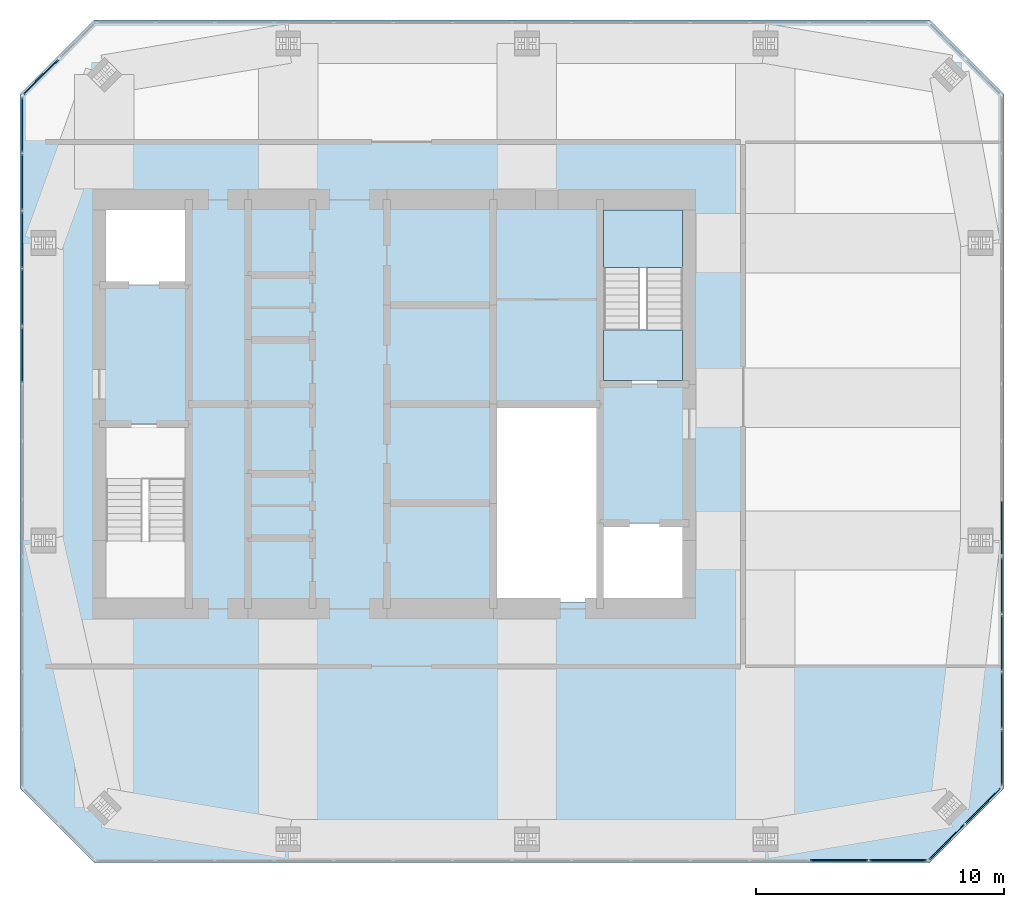
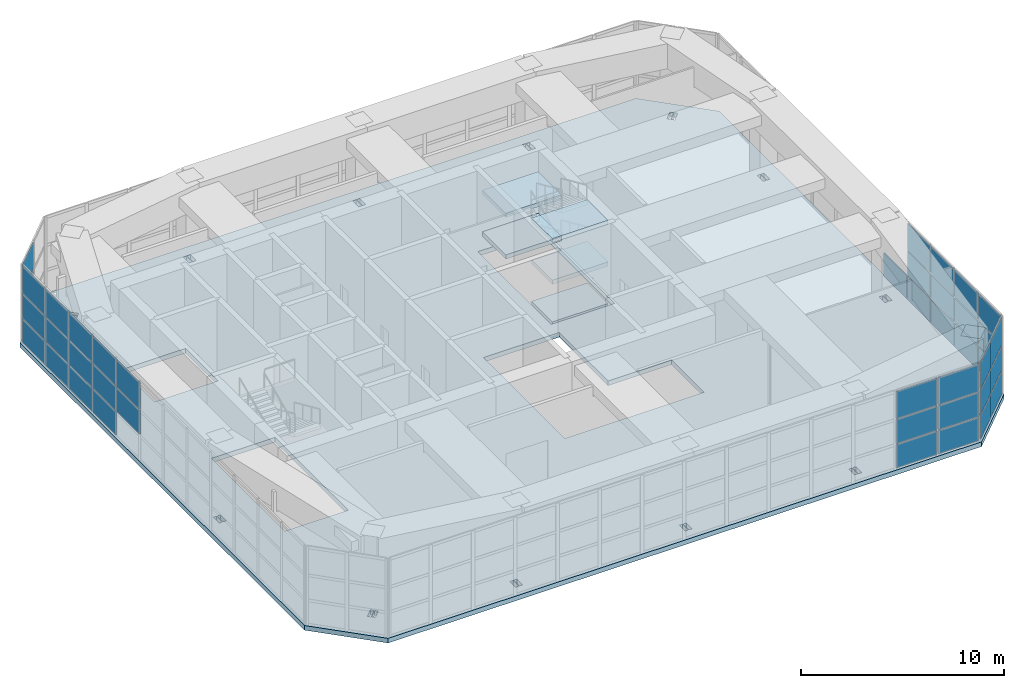
# One storey, part 9 of 14: 42 plates, 6 slabs, 6 elements without a shape of their own.
"""IFC4 building model written with IfcOpenShell, lengths in metres."""

from ifc_helpers import new_model, si_unit, direction, frame, origin, origin_2d, place, context, subcontext, project, spatial, polyline, rectangle, outline, extrude, material, layer, layer_set, type_object, element, aggregate, save


model = new_model("IFC4")

# Units and contexts
model_context = context("Model", 3, precision=1e-05, world=origin(), true_north=direction((0.0, 1.0)))
body_context = subcontext(model_context, "Body", "Model", "MODEL_VIEW")
ifc_project = project(units=[si_unit("LENGTHUNIT", "METRE"), si_unit("AREAUNIT", "SQUARE_METRE"), si_unit("VOLUMEUNIT", "CUBIC_METRE"), si_unit("PLANEANGLEUNIT", "RADIAN"), si_unit("MASSUNIT", "GRAM", prefix="KILO")], contexts=[model_context])

# Site, building, storey
site_placement = place(None, origin())
site = spatial("IfcSite", under=ifc_project, at=site_placement, CompositionType="ELEMENT")
building_placement = place(site_placement, origin())
building = spatial("IfcBuilding", under=site, at=building_placement, Name="Jalousie Tower", CompositionType="ELEMENT")
storey_placement = place(building_placement, frame((0.0, 0.0, 272.75)))
storey = spatial("IfcBuildingStorey", under=building, at=storey_placement, Name="L74", CompositionType="ELEMENT", Elevation=272.75)

# Curtain wall, plates
ifc_material_1 = material(Name="Aluminium curtain wall", Category="aluminium")
curtain_wall_type = type_object("IfcCurtainWallType", Name="CROWN LOUVRE WALL", PredefinedType="USERDEFINED", material=ifc_material_1)
curtain_wall_1_placement = place(storey_placement, origin())
curtain_wall_1 = element("IfcCurtainWall", 1, at=curtain_wall_1_placement, inside=storey, type_object=curtain_wall_type, Name="Crown Louvre Wall L74 1", ObjectType="CROWN LOUVRE WALL", PredefinedType="USERDEFINED")
ifc_material_2 = material(Name="Aluminium storm louvre panel", Category="aluminium")
ifc_layer_1 = layer(ifc_material_2, 0.050048828125)
ifc_layer_set_1 = layer_set([ifc_layer_1], Name="Aluminium storm louvre panel")
plate_type = type_object("IfcPlateType", Name="CROWN LOUVRE WALL PANEL", PredefinedType="CURTAIN_PANEL", material=ifc_layer_set_1)
plate_1_placement = place(storey_placement, frame((49.848876953125, 0.08740234375, 0.080078125), z_axis=(0.0, 0.0, 1.0), x_axis=(1.0, 0.0, 0.0)))
plate_1 = element("IfcPlate", 2, at=plate_1_placement, type_object=plate_type, Name="CW-L panel 13.1", PredefinedType="CURTAIN_PANEL", context=body_context, shape_type="SweptSolid", body=[
    extrude(rectangle(XDim=2.31982421875, YDim=0.050048828125, at=origin_2d()), origin(), (0.0, 0.0, 1.0), 1.3798828125),
])
plate_2_placement = place(storey_placement, frame((49.848876953125, 0.08740234375, 1.5400390625), z_axis=(0.0, 0.0, 1.0), x_axis=(1.0, 0.0, 0.0)))
plate_2 = element("IfcPlate", 3, at=plate_2_placement, type_object=plate_type, Name="CW-L panel 13.2", PredefinedType="CURTAIN_PANEL", context=body_context, shape_type="SweptSolid", body=[
    extrude(rectangle(XDim=2.31982421875, YDim=0.050048828125, at=origin_2d()), origin(), (0.0, 0.0, 1.0), 1.419921875),
])
plate_3_placement = place(storey_placement, frame((49.848876953125, 0.08740234375, 3.0400390625), z_axis=(0.0, 0.0, 1.0), x_axis=(1.0, 0.0, 0.0)))
plate_3 = element("IfcPlate", 4, at=plate_3_placement, type_object=plate_type, Name="CW-L panel 13.3", PredefinedType="CURTAIN_PANEL", context=body_context, shape_type="SweptSolid", body=[
    extrude(rectangle(XDim=2.31982421875, YDim=0.050048828125, at=origin_2d()), origin(), (0.0, 0.0, 1.0), 1.60009765625),
])
plate_4_placement = place(storey_placement, frame((52.228759765625, 0.08740234375, 0.080078125), z_axis=(0.0, 0.0, 1.0), x_axis=(1.0, 0.0, 0.0)))
plate_4 = element("IfcPlate", 5, at=plate_4_placement, type_object=plate_type, Name="CW-L panel 14.1", PredefinedType="CURTAIN_PANEL", context=body_context, shape_type="SweptSolid", body=[
    extrude(rectangle(XDim=2.27978515625, YDim=0.050048828125, at=origin_2d()), origin(), (0.0, 0.0, 1.0), 1.3798828125),
])
plate_5_placement = place(storey_placement, frame((52.228759765625, 0.08740234375, 1.5400390625), z_axis=(0.0, 0.0, 1.0), x_axis=(1.0, 0.0, 0.0)))
plate_5 = element("IfcPlate", 6, at=plate_5_placement, type_object=plate_type, Name="CW-L panel 14.2", PredefinedType="CURTAIN_PANEL", context=body_context, shape_type="SweptSolid", body=[
    extrude(rectangle(XDim=2.27978515625, YDim=0.050048828125, at=origin_2d()), origin(), (0.0, 0.0, 1.0), 1.419921875),
])
plate_6_placement = place(storey_placement, frame((52.228759765625, 0.08740234375, 3.0400390625), z_axis=(0.0, 0.0, 1.0), x_axis=(1.0, 0.0, 0.0)))
plate_6 = element("IfcPlate", 7, at=plate_6_placement, type_object=plate_type, Name="CW-L panel 14.3", PredefinedType="CURTAIN_PANEL", context=body_context, shape_type="SweptSolid", body=[
    extrude(rectangle(XDim=2.27978515625, YDim=0.050048828125, at=origin_2d()), origin(), (0.0, 0.0, 1.0), 1.60009765625),
])
aggregate(curtain_wall_1, [plate_1, plate_2, plate_3, plate_4, plate_5, plate_6])

curtain_wall_2_placement = place(storey_placement, origin())
curtain_wall_2 = element("IfcCurtainWall", 8, at=curtain_wall_2_placement, inside=storey, type_object=curtain_wall_type, Name="Crown Louvre Wall L74 2", ObjectType="CROWN LOUVRE WALL", PredefinedType="USERDEFINED")
plate_7_placement = place(storey_placement, frame((54.203857421875, 0.842529296875, 0.080078125), z_axis=(0.0, 0.0, 1.0), x_axis=(0.707106781187, 0.707106781187, 0.0)))
plate_7 = element("IfcPlate", 9, at=plate_7_placement, type_object=plate_type, Name="CW-L panel 1.1", PredefinedType="CURTAIN_PANEL", context=body_context, shape_type="SweptSolid", body=[
    extrude(rectangle(XDim=1.975830078125, YDim=0.050048828125, at=origin_2d()), origin(), (0.0, 0.0, 1.0), 1.3798828125),
])
plate_8_placement = place(storey_placement, frame((54.203857421875, 0.842529296875, 1.5400390625), z_axis=(0.0, 0.0, 1.0), x_axis=(0.707106781187, 0.707106781187, 0.0)))
plate_8 = element("IfcPlate", 10, at=plate_8_placement, type_object=plate_type, Name="CW-L panel 1.2", PredefinedType="CURTAIN_PANEL", context=body_context, shape_type="SweptSolid", body=[
    extrude(rectangle(XDim=1.975830078125, YDim=0.050048828125, at=origin_2d()), origin(), (0.0, 0.0, 1.0), 1.419921875),
])
plate_9_placement = place(storey_placement, frame((54.203857421875, 0.842529296875, 3.0400390625), z_axis=(0.0, 0.0, 1.0), x_axis=(0.707106781187, 0.707106781187, 0.0)))
plate_9 = element("IfcPlate", 11, at=plate_9_placement, type_object=plate_type, Name="CW-L panel 1.3", PredefinedType="CURTAIN_PANEL", context=body_context, shape_type="SweptSolid", body=[
    extrude(rectangle(XDim=1.975830078125, YDim=0.050048828125, at=origin_2d()), origin(), (0.0, 0.0, 1.0), 1.60009765625),
])
plate_10_placement = place(storey_placement, frame((55.657470703125, 2.296142578125, 0.080078125), z_axis=(0.0, 0.0, 1.0), x_axis=(0.707106781187, 0.707106781187, 0.0)))
plate_10 = element("IfcPlate", 12, at=plate_10_placement, type_object=plate_type, Name="CW-L panel 2.1", PredefinedType="CURTAIN_PANEL", context=body_context, shape_type="SweptSolid", body=[
    extrude(rectangle(XDim=1.975830078125, YDim=0.050048828125, at=origin_2d()), origin(), (0.0, 0.0, 1.0), 1.3798828125),
])
plate_11_placement = place(storey_placement, frame((55.657470703125, 2.296142578125, 1.5400390625), z_axis=(0.0, 0.0, 1.0), x_axis=(0.707106781187, 0.707106781187, 0.0)))
plate_11 = element("IfcPlate", 13, at=plate_11_placement, type_object=plate_type, Name="CW-L panel 2.2", PredefinedType="CURTAIN_PANEL", context=body_context, shape_type="SweptSolid", body=[
    extrude(rectangle(XDim=1.975830078125, YDim=0.050048828125, at=origin_2d()), origin(), (0.0, 0.0, 1.0), 1.419921875),
])
plate_12_placement = place(storey_placement, frame((55.657470703125, 2.296142578125, 3.0400390625), z_axis=(0.0, 0.0, 1.0), x_axis=(0.707106781187, 0.707106781187, 0.0)))
plate_12 = element("IfcPlate", 14, at=plate_12_placement, type_object=plate_type, Name="CW-L panel 2.3", PredefinedType="CURTAIN_PANEL", context=body_context, shape_type="SweptSolid", body=[
    extrude(rectangle(XDim=1.975830078125, YDim=0.050048828125, at=origin_2d()), origin(), (0.0, 0.0, 1.0), 1.60009765625),
])
aggregate(curtain_wall_2, [plate_7, plate_8, plate_9, plate_10, plate_11, plate_12])

curtain_wall_3_placement = place(storey_placement, origin())
curtain_wall_3 = element("IfcCurtainWall", 15, at=curtain_wall_3_placement, inside=storey, type_object=curtain_wall_type, Name="Crown Louvre Wall L74 3", ObjectType="CROWN LOUVRE WALL", PredefinedType="USERDEFINED")
plate_13_placement = place(storey_placement, frame((56.41259765625, 4.233642578125, 0.080078125), z_axis=(0.0, 0.0, 1.0), x_axis=(0.0, 1.0, 0.0)))
plate_13 = element("IfcPlate", 16, at=plate_13_placement, type_object=plate_type, Name="CW-L panel 1.1", PredefinedType="CURTAIN_PANEL", context=body_context, shape_type="SweptSolid", body=[
    extrude(rectangle(XDim=2.204833984375, YDim=0.050048828125, at=origin_2d()), origin(), (0.0, 0.0, 1.0), 1.3798828125),
])
plate_14_placement = place(storey_placement, frame((56.41259765625, 4.233642578125, 1.5400390625), z_axis=(0.0, 0.0, 1.0), x_axis=(0.0, 1.0, 0.0)))
plate_14 = element("IfcPlate", 17, at=plate_14_placement, type_object=plate_type, Name="CW-L panel 1.2", PredefinedType="CURTAIN_PANEL", context=body_context, shape_type="SweptSolid", body=[
    extrude(rectangle(XDim=2.204833984375, YDim=0.050048828125, at=origin_2d()), origin(), (0.0, 0.0, 1.0), 1.419921875),
])
plate_15_placement = place(storey_placement, frame((56.41259765625, 4.233642578125, 3.0400390625), z_axis=(0.0, 0.0, 1.0), x_axis=(0.0, 1.0, 0.0)))
plate_15 = element("IfcPlate", 18, at=plate_15_placement, type_object=plate_type, Name="CW-L panel 1.3", PredefinedType="CURTAIN_PANEL", context=body_context, shape_type="SweptSolid", body=[
    extrude(rectangle(XDim=2.204833984375, YDim=0.050048828125, at=origin_2d()), origin(), (0.0, 0.0, 1.0), 1.60009765625),
])
plate_16_placement = place(storey_placement, frame((56.41259765625, 6.53857421875, 0.080078125), z_axis=(0.0, 0.0, 1.0), x_axis=(0.0, 1.0, 0.0)))
plate_16 = element("IfcPlate", 19, at=plate_16_placement, type_object=plate_type, Name="CW-L panel 2.1", PredefinedType="CURTAIN_PANEL", context=body_context, shape_type="SweptSolid", body=[
    extrude(rectangle(XDim=2.244873046875, YDim=0.050048828125, at=origin_2d()), origin(), (0.0, 0.0, 1.0), 1.3798828125),
])
plate_17_placement = place(storey_placement, frame((56.41259765625, 6.53857421875, 1.5400390625), z_axis=(0.0, 0.0, 1.0), x_axis=(0.0, 1.0, 0.0)))
plate_17 = element("IfcPlate", 20, at=plate_17_placement, type_object=plate_type, Name="CW-L panel 2.2", PredefinedType="CURTAIN_PANEL", context=body_context, shape_type="SweptSolid", body=[
    extrude(rectangle(XDim=2.244873046875, YDim=0.050048828125, at=origin_2d()), origin(), (0.0, 0.0, 1.0), 1.419921875),
])
plate_18_placement = place(storey_placement, frame((56.41259765625, 6.53857421875, 3.0400390625), z_axis=(0.0, 0.0, 1.0), x_axis=(0.0, 1.0, 0.0)))
plate_18 = element("IfcPlate", 21, at=plate_18_placement, type_object=plate_type, Name="CW-L panel 2.3", PredefinedType="CURTAIN_PANEL", context=body_context, shape_type="SweptSolid", body=[
    extrude(rectangle(XDim=2.244873046875, YDim=0.050048828125, at=origin_2d()), origin(), (0.0, 0.0, 1.0), 1.60009765625),
])
plate_19_placement = place(storey_placement, frame((56.41259765625, 8.86328125, 0.080078125), z_axis=(0.0, 0.0, 1.0), x_axis=(0.0, 1.0, 0.0)))
plate_19 = element("IfcPlate", 22, at=plate_19_placement, type_object=plate_type, Name="CW-L panel 3.1", PredefinedType="CURTAIN_PANEL", context=body_context, shape_type="SweptSolid", body=[
    extrude(rectangle(XDim=2.244873046875, YDim=0.050048828125, at=origin_2d()), origin(), (0.0, 0.0, 1.0), 1.3798828125),
])
plate_20_placement = place(storey_placement, frame((56.41259765625, 8.86328125, 1.5400390625), z_axis=(0.0, 0.0, 1.0), x_axis=(0.0, 1.0, 0.0)))
plate_20 = element("IfcPlate", 23, at=plate_20_placement, type_object=plate_type, Name="CW-L panel 3.2", PredefinedType="CURTAIN_PANEL", context=body_context, shape_type="SweptSolid", body=[
    extrude(rectangle(XDim=2.244873046875, YDim=0.050048828125, at=origin_2d()), origin(), (0.0, 0.0, 1.0), 1.419921875),
])
plate_21_placement = place(storey_placement, frame((56.41259765625, 8.86328125, 3.0400390625), z_axis=(0.0, 0.0, 1.0), x_axis=(0.0, 1.0, 0.0)))
plate_21 = element("IfcPlate", 24, at=plate_21_placement, type_object=plate_type, Name="CW-L panel 3.3", PredefinedType="CURTAIN_PANEL", context=body_context, shape_type="SweptSolid", body=[
    extrude(rectangle(XDim=2.244873046875, YDim=0.050048828125, at=origin_2d()), origin(), (0.0, 0.0, 1.0), 1.60009765625),
])
plate_22_placement = place(storey_placement, frame((56.41259765625, 11.18798828125, 0.080078125), z_axis=(0.0, 0.0, 1.0), x_axis=(0.0, 1.0, 0.0)))
plate_22 = element("IfcPlate", 25, at=plate_22_placement, type_object=plate_type, Name="CW-L panel 4.1", PredefinedType="CURTAIN_PANEL", context=body_context, shape_type="SweptSolid", body=[
    extrude(rectangle(XDim=2.244873046875, YDim=0.050048828125, at=origin_2d()), origin(), (0.0, 0.0, 1.0), 1.3798828125),
])
plate_23_placement = place(storey_placement, frame((56.41259765625, 11.18798828125, 1.5400390625), z_axis=(0.0, 0.0, 1.0), x_axis=(0.0, 1.0, 0.0)))
plate_23 = element("IfcPlate", 26, at=plate_23_placement, type_object=plate_type, Name="CW-L panel 4.2", PredefinedType="CURTAIN_PANEL", context=body_context, shape_type="SweptSolid", body=[
    extrude(rectangle(XDim=2.244873046875, YDim=0.050048828125, at=origin_2d()), origin(), (0.0, 0.0, 1.0), 1.419921875),
])
plate_24_placement = place(storey_placement, frame((56.41259765625, 11.18798828125, 3.0400390625), z_axis=(0.0, 0.0, 1.0), x_axis=(0.0, 1.0, 0.0)))
plate_24 = element("IfcPlate", 27, at=plate_24_placement, type_object=plate_type, Name="CW-L panel 4.3", PredefinedType="CURTAIN_PANEL", context=body_context, shape_type="SweptSolid", body=[
    extrude(rectangle(XDim=2.244873046875, YDim=0.050048828125, at=origin_2d()), origin(), (0.0, 0.0, 1.0), 1.60009765625),
])
plate_25_placement = place(storey_placement, frame((56.41259765625, 13.512939453125, 0.080078125), z_axis=(0.0, 0.0, 1.0), x_axis=(0.0, 1.0, 0.0)))
plate_25 = element("IfcPlate", 28, at=plate_25_placement, type_object=plate_type, Name="CW-L panel 5.1", PredefinedType="CURTAIN_PANEL", context=body_context, shape_type="SweptSolid", body=[
    extrude(rectangle(XDim=2.244873046875, YDim=0.050048828125, at=origin_2d()), origin(), (0.0, 0.0, 1.0), 1.3798828125),
])
aggregate(curtain_wall_3, [plate_13, plate_14, plate_15, plate_16, plate_17, plate_18, plate_19, plate_20, plate_21, plate_22, plate_23, plate_24, plate_25])

curtain_wall_4_placement = place(storey_placement, origin())
curtain_wall_4 = element("IfcCurtainWall", 29, at=curtain_wall_4_placement, inside=storey, type_object=curtain_wall_type, Name="Crown Louvre Wall L74 6", ObjectType="CROWN LOUVRE WALL", PredefinedType="USERDEFINED")
plate_26_placement = place(storey_placement, frame((17.642578125, 31.703857421875, 0.080078125), z_axis=(0.0, 0.0, 1.0), x_axis=(-0.707106781187, -0.707106781187, 0.0)))
plate_26 = element("IfcPlate", 30, at=plate_26_placement, type_object=plate_type, Name="CW-L panel 2.1", PredefinedType="CURTAIN_PANEL", context=body_context, shape_type="SweptSolid", body=[
    extrude(rectangle(XDim=1.975830078125, YDim=0.050048828125, at=origin_2d()), origin(), (0.0, 0.0, 1.0), 1.3798828125),
])
plate_27_placement = place(storey_placement, frame((17.642578125, 31.703857421875, 1.5400390625), z_axis=(0.0, 0.0, 1.0), x_axis=(-0.707106781187, -0.707106781187, 0.0)))
plate_27 = element("IfcPlate", 31, at=plate_27_placement, type_object=plate_type, Name="CW-L panel 2.2", PredefinedType="CURTAIN_PANEL", context=body_context, shape_type="SweptSolid", body=[
    extrude(rectangle(XDim=1.975830078125, YDim=0.050048828125, at=origin_2d()), origin(), (0.0, 0.0, 1.0), 1.419921875),
])
plate_28_placement = place(storey_placement, frame((17.642578125, 31.703857421875, 3.0400390625), z_axis=(0.0, 0.0, 1.0), x_axis=(-0.707106781187, -0.707106781187, 0.0)))
plate_28 = element("IfcPlate", 32, at=plate_28_placement, type_object=plate_type, Name="CW-L panel 2.3", PredefinedType="CURTAIN_PANEL", context=body_context, shape_type="SweptSolid", body=[
    extrude(rectangle(XDim=1.975830078125, YDim=0.050048828125, at=origin_2d()), origin(), (0.0, 0.0, 1.0), 1.60009765625),
])
aggregate(curtain_wall_4, [plate_26, plate_27, plate_28])

curtain_wall_5_placement = place(storey_placement, origin())
curtain_wall_5 = element("IfcCurtainWall", 33, at=curtain_wall_5_placement, inside=storey, type_object=curtain_wall_type, Name="Crown Louvre Wall L74 7", ObjectType="CROWN LOUVRE WALL", PredefinedType="USERDEFINED")
plate_29_placement = place(storey_placement, frame((16.887451171875, 29.766357421875, 0.080078125), z_axis=(0.0, 0.0, 1.0), x_axis=(0.0, -1.0, 0.0)))
plate_29 = element("IfcPlate", 34, at=plate_29_placement, type_object=plate_type, Name="CW-L panel 1.1", PredefinedType="CURTAIN_PANEL", context=body_context, shape_type="SweptSolid", body=[
    extrude(rectangle(XDim=2.204833984375, YDim=0.050048828125, at=origin_2d()), origin(), (0.0, 0.0, 1.0), 1.3798828125),
])
plate_30_placement = place(storey_placement, frame((16.887451171875, 29.766357421875, 1.5400390625), z_axis=(0.0, 0.0, 1.0), x_axis=(0.0, -1.0, 0.0)))
plate_30 = element("IfcPlate", 35, at=plate_30_placement, type_object=plate_type, Name="CW-L panel 1.2", PredefinedType="CURTAIN_PANEL", context=body_context, shape_type="SweptSolid", body=[
    extrude(rectangle(XDim=2.204833984375, YDim=0.050048828125, at=origin_2d()), origin(), (0.0, 0.0, 1.0), 1.419921875),
])
plate_31_placement = place(storey_placement, frame((16.887451171875, 29.766357421875, 3.0400390625), z_axis=(0.0, 0.0, 1.0), x_axis=(0.0, -1.0, 0.0)))
plate_31 = element("IfcPlate", 36, at=plate_31_placement, type_object=plate_type, Name="CW-L panel 1.3", PredefinedType="CURTAIN_PANEL", context=body_context, shape_type="SweptSolid", body=[
    extrude(rectangle(XDim=2.204833984375, YDim=0.050048828125, at=origin_2d()), origin(), (0.0, 0.0, 1.0), 1.60009765625),
])
plate_32_placement = place(storey_placement, frame((16.887451171875, 27.46142578125, 0.080078125), z_axis=(0.0, 0.0, 1.0), x_axis=(0.0, -1.0, 0.0)))
plate_32 = element("IfcPlate", 37, at=plate_32_placement, type_object=plate_type, Name="CW-L panel 2.1", PredefinedType="CURTAIN_PANEL", context=body_context, shape_type="SweptSolid", body=[
    extrude(rectangle(XDim=2.244873046875, YDim=0.050048828125, at=origin_2d()), origin(), (0.0, 0.0, 1.0), 1.3798828125),
])
plate_33_placement = place(storey_placement, frame((16.887451171875, 27.46142578125, 1.5400390625), z_axis=(0.0, 0.0, 1.0), x_axis=(0.0, -1.0, 0.0)))
plate_33 = element("IfcPlate", 38, at=plate_33_placement, type_object=plate_type, Name="CW-L panel 2.2", PredefinedType="CURTAIN_PANEL", context=body_context, shape_type="SweptSolid", body=[
    extrude(rectangle(XDim=2.244873046875, YDim=0.050048828125, at=origin_2d()), origin(), (0.0, 0.0, 1.0), 1.419921875),
])
plate_34_placement = place(storey_placement, frame((16.887451171875, 27.46142578125, 3.0400390625), z_axis=(0.0, 0.0, 1.0), x_axis=(0.0, -1.0, 0.0)))
plate_34 = element("IfcPlate", 39, at=plate_34_placement, type_object=plate_type, Name="CW-L panel 2.3", PredefinedType="CURTAIN_PANEL", context=body_context, shape_type="SweptSolid", body=[
    extrude(rectangle(XDim=2.244873046875, YDim=0.050048828125, at=origin_2d()), origin(), (0.0, 0.0, 1.0), 1.60009765625),
])
plate_35_placement = place(storey_placement, frame((16.887451171875, 25.13671875, 0.080078125), z_axis=(0.0, 0.0, 1.0), x_axis=(0.0, -1.0, 0.0)))
plate_35 = element("IfcPlate", 40, at=plate_35_placement, type_object=plate_type, Name="CW-L panel 3.1", PredefinedType="CURTAIN_PANEL", context=body_context, shape_type="SweptSolid", body=[
    extrude(rectangle(XDim=2.244873046875, YDim=0.050048828125, at=origin_2d()), origin(), (0.0, 0.0, 1.0), 1.3798828125),
])
plate_36_placement = place(storey_placement, frame((16.887451171875, 25.13671875, 1.5400390625), z_axis=(0.0, 0.0, 1.0), x_axis=(0.0, -1.0, 0.0)))
plate_36 = element("IfcPlate", 41, at=plate_36_placement, type_object=plate_type, Name="CW-L panel 3.2", PredefinedType="CURTAIN_PANEL", context=body_context, shape_type="SweptSolid", body=[
    extrude(rectangle(XDim=2.244873046875, YDim=0.050048828125, at=origin_2d()), origin(), (0.0, 0.0, 1.0), 1.419921875),
])
plate_37_placement = place(storey_placement, frame((16.887451171875, 25.13671875, 3.0400390625), z_axis=(0.0, 0.0, 1.0), x_axis=(0.0, -1.0, 0.0)))
plate_37 = element("IfcPlate", 42, at=plate_37_placement, type_object=plate_type, Name="CW-L panel 3.3", PredefinedType="CURTAIN_PANEL", context=body_context, shape_type="SweptSolid", body=[
    extrude(rectangle(XDim=2.244873046875, YDim=0.050048828125, at=origin_2d()), origin(), (0.0, 0.0, 1.0), 1.60009765625),
])
plate_38_placement = place(storey_placement, frame((16.887451171875, 22.81201171875, 0.080078125), z_axis=(0.0, 0.0, 1.0), x_axis=(0.0, -1.0, 0.0)))
plate_38 = element("IfcPlate", 43, at=plate_38_placement, type_object=plate_type, Name="CW-L panel 4.1", PredefinedType="CURTAIN_PANEL", context=body_context, shape_type="SweptSolid", body=[
    extrude(rectangle(XDim=2.244873046875, YDim=0.050048828125, at=origin_2d()), origin(), (0.0, 0.0, 1.0), 1.3798828125),
])
plate_39_placement = place(storey_placement, frame((16.887451171875, 22.81201171875, 1.5400390625), z_axis=(0.0, 0.0, 1.0), x_axis=(0.0, -1.0, 0.0)))
plate_39 = element("IfcPlate", 44, at=plate_39_placement, type_object=plate_type, Name="CW-L panel 4.2", PredefinedType="CURTAIN_PANEL", context=body_context, shape_type="SweptSolid", body=[
    extrude(rectangle(XDim=2.244873046875, YDim=0.050048828125, at=origin_2d()), origin(), (0.0, 0.0, 1.0), 1.419921875),
])
plate_40_placement = place(storey_placement, frame((16.887451171875, 22.81201171875, 3.0400390625), z_axis=(0.0, 0.0, 1.0), x_axis=(0.0, -1.0, 0.0)))
plate_40 = element("IfcPlate", 45, at=plate_40_placement, type_object=plate_type, Name="CW-L panel 4.3", PredefinedType="CURTAIN_PANEL", context=body_context, shape_type="SweptSolid", body=[
    extrude(rectangle(XDim=2.244873046875, YDim=0.050048828125, at=origin_2d()), origin(), (0.0, 0.0, 1.0), 1.60009765625),
])
plate_41_placement = place(storey_placement, frame((16.887451171875, 20.487060546875, 1.5400390625), z_axis=(0.0, 0.0, 1.0), x_axis=(0.0, -1.0, 0.0)))
plate_41 = element("IfcPlate", 46, at=plate_41_placement, type_object=plate_type, Name="CW-L panel 5.2", PredefinedType="CURTAIN_PANEL", context=body_context, shape_type="SweptSolid", body=[
    extrude(rectangle(XDim=2.244873046875, YDim=0.050048828125, at=origin_2d()), origin(), (0.0, 0.0, 1.0), 1.419921875),
])
plate_42_placement = place(storey_placement, frame((16.887451171875, 20.487060546875, 3.0400390625), z_axis=(0.0, 0.0, 1.0), x_axis=(0.0, -1.0, 0.0)))
plate_42 = element("IfcPlate", 47, at=plate_42_placement, type_object=plate_type, Name="CW-L panel 5.3", PredefinedType="CURTAIN_PANEL", context=body_context, shape_type="SweptSolid", body=[
    extrude(rectangle(XDim=2.244873046875, YDim=0.050048828125, at=origin_2d()), origin(), (0.0, 0.0, 1.0), 1.60009765625),
])
aggregate(curtain_wall_5, [plate_29, plate_30, plate_31, plate_32, plate_33, plate_34, plate_35, plate_36, plate_37, plate_38, plate_39, plate_40, plate_41, plate_42])

# Slab
ifc_material_3 = material(Name="Concrete f'c 40 MPa", Category="concrete")
ifc_layer_2 = layer(ifc_material_3, 0.280029296875)
ifc_layer_set_2 = layer_set([ifc_layer_2], Name="Concrete f'c 40 MPa")
slab_type_1 = type_object("IfcSlabType", Name="FLOOR SLAB 280", PredefinedType="FLOOR", material=ifc_layer_set_2)
slab_1_placement = place(storey_placement, frame((0.0, 0.0, -0.280029296875)))
element("IfcSlab", 48, at=slab_1_placement, inside=storey, type_object=slab_type_1, Name="L74 floor slab", PredefinedType="FLOOR", context=body_context, shape_type="SweptSolid", body=[
    extrude(outline(polyline([(19.800048828125, 0.0), (53.5, 0.0), (56.5, 3.0), (56.5, 31.0), (53.5, 34.0), (19.800048828125, 34.0), (16.800048828125, 31.0), (16.800048828125, 3.0), (19.800048828125, 0.0)]), holes=[polyline([(37.270263671875, 0.663818359375), (37.270263671875, 1.236083984375), (37.365234375, 1.236083984375), (37.449951171875, 1.236083984375), (37.449951171875, 0.663818359375), (37.365234375, 0.663818359375), (37.270263671875, 0.663818359375)]), polyline([(37.229736328125, 1.236083984375), (37.229736328125, 0.663818359375), (37.134765625, 0.663818359375), (37.050048828125, 0.663818359375), (37.050048828125, 1.236083984375), (37.134765625, 1.236083984375), (37.229736328125, 1.236083984375)]), polyline([(27.645263671875, 1.236083984375), (27.740234375, 1.236083984375), (27.824951171875, 1.236083984375), (27.824951171875, 0.663818359375), (27.740234375, 0.663818359375), (27.645263671875, 0.663818359375), (27.645263671875, 1.236083984375)]), polyline([(27.425048828125, 1.236083984375), (27.509765625, 1.236083984375), (27.604736328125, 1.236083984375), (27.604736328125, 0.663818359375), (27.509765625, 0.663818359375), (27.425048828125, 0.663818359375), (27.425048828125, 1.236083984375)]), polyline([(20.55078125, 2.26806640625), (20.35302734375, 2.0703125), (20.146240234375, 1.86328125), (20.146240234375, 1.86328125), (20.146240234375, 1.86328125), (20.01904296875, 1.990478515625), (20.423583984375, 2.395263671875), (20.55078125, 2.26806640625)]), polyline([(20.26806640625, 2.55078125), (20.26806640625, 2.55078125), (20.26806640625, 2.55078125), (20.28271484375, 2.5361328125), (20.395263671875, 2.423583984375), (19.990478515625, 2.01904296875), (19.923095703125, 2.086181640625), (19.923095703125, 2.086181640625), (19.86328125, 2.146240234375), (20.065673828125, 2.348388671875), (20.26806640625, 2.55078125)]), polyline([(17.729736328125, 12.7138671875), (17.634765625, 12.7138671875), (17.550048828125, 12.7138671875), (17.550048828125, 13.2861328125), (17.634765625, 13.2861328125), (17.729736328125, 13.2861328125), (17.729736328125, 12.7138671875)]), polyline([(17.770263671875, 13.2861328125), (17.865234375, 13.2861328125), (17.949951171875, 13.2861328125), (17.949951171875, 12.7138671875), (17.865234375, 12.7138671875), (17.770263671875, 12.7138671875), (17.770263671875, 13.2861328125)]), polyline([(20.0, 10.5), (23.60009765625, 10.5), (23.60009765625, 17.699951171875), (20.0, 17.699951171875), (20.0, 10.5)]), polyline([(20.0, 23.300048828125), (23.60009765625, 23.300048828125), (23.60009765625, 26.5), (20.0, 26.5), (20.0, 23.300048828125)]), polyline([(17.770263671875, 24.7138671875), (17.770263671875, 25.2861328125), (17.865234375, 25.2861328125), (17.949951171875, 25.2861328125), (17.949951171875, 24.7138671875), (17.865234375, 24.7138671875), (17.770263671875, 24.7138671875)]), polyline([(17.729736328125, 25.2861328125), (17.729736328125, 24.7138671875), (17.634765625, 24.7138671875), (17.550048828125, 24.7138671875), (17.550048828125, 25.2861328125), (17.634765625, 25.2861328125), (17.729736328125, 25.2861328125)]), polyline([(19.923095703125, 31.913818359375), (19.990478515625, 31.98095703125), (20.395263671875, 31.576416015625), (20.26806640625, 31.44921875), (20.26806640625, 31.44921875), (20.26806640625, 31.44921875), (20.065673828125, 31.651611328125), (19.86328125, 31.853759765625), (19.923095703125, 31.913818359375)]), polyline([(20.55078125, 31.73193359375), (20.55078125, 31.73193359375), (20.423583984375, 31.604736328125), (20.01904296875, 32.009521484375), (20.086181640625, 32.076904296875), (20.146240234375, 32.13671875), (20.388916015625, 31.893798828125), (20.55078125, 31.73193359375), (20.55078125, 31.73193359375)]), polyline([(27.425048828125, 32.763916015625), (27.425048828125, 33.336181640625), (27.509765625, 33.336181640625), (27.604736328125, 33.336181640625), (27.604736328125, 32.763916015625), (27.509765625, 32.763916015625), (27.425048828125, 32.763916015625)]), polyline([(27.824951171875, 33.336181640625), (27.824951171875, 32.763916015625), (27.740234375, 32.763916015625), (27.645263671875, 32.763916015625), (27.645263671875, 33.336181640625), (27.740234375, 33.336181640625), (27.824951171875, 33.336181640625)]), polyline([(37.229736328125, 32.763916015625), (37.134765625, 32.763916015625), (37.050048828125, 32.763916015625), (37.050048828125, 33.336181640625), (37.134765625, 33.336181640625), (37.229736328125, 33.336181640625), (37.229736328125, 32.763916015625)]), polyline([(46.759765625, 0.663818359375), (46.675048828125, 0.663818359375), (46.675048828125, 1.236083984375), (46.759765625, 1.236083984375), (46.854736328125, 1.236083984375), (46.854736328125, 0.663818359375), (46.759765625, 0.663818359375)]), polyline([(46.990234375, 1.236083984375), (47.074951171875, 1.236083984375), (47.074951171875, 0.663818359375), (46.990234375, 0.663818359375), (46.895263671875, 0.663818359375), (46.895263671875, 1.236083984375), (46.990234375, 1.236083984375)]), polyline([(54.353759765625, 1.86328125), (54.1533203125, 2.063720703125), (53.94921875, 2.26806640625), (54.076416015625, 2.395263671875), (54.48095703125, 1.990478515625), (54.413818359375, 1.923095703125), (54.413818359375, 1.923095703125), (54.406005859375, 1.91552734375), (54.353759765625, 1.86328125), (54.353759765625, 1.86328125), (54.353759765625, 1.86328125)]), polyline([(54.172119140625, 2.490966796875), (54.172119140625, 2.490966796875), (54.23193359375, 2.55078125), (54.23193359375, 2.55078125), (54.23193359375, 2.55078125), (54.434326171875, 2.348388671875), (54.63671875, 2.146240234375), (54.576904296875, 2.086181640625), (54.576904296875, 2.086181640625), (54.509521484375, 2.01904296875), (54.104736328125, 2.423583984375), (54.172119140625, 2.490966796875)]), polyline([(35.89990234375, 10.5), (35.89990234375, 18.5), (40.199951171875, 18.5), (40.199951171875, 13.699951171875), (43.800048828125, 13.699951171875), (43.800048828125, 10.5), (35.89990234375, 10.5)]), polyline([(55.35009765625, 12.7138671875), (55.35009765625, 13.2861328125), (55.434814453125, 13.2861328125), (55.52978515625, 13.2861328125), (55.52978515625, 12.7138671875), (55.434814453125, 12.7138671875), (55.35009765625, 12.7138671875)]), polyline([(55.5703125, 12.7138671875), (55.5703125, 13.2861328125), (55.665283203125, 13.2861328125), (55.75, 13.2861328125), (55.75, 12.7138671875), (55.665283203125, 12.7138671875), (55.5703125, 12.7138671875)]), polyline([(40.199951171875, 19.300048828125), (43.800048828125, 19.300048828125), (43.800048828125, 26.5), (40.199951171875, 26.5), (40.199951171875, 19.300048828125)]), polyline([(55.35009765625, 24.7138671875), (55.35009765625, 25.2861328125), (55.434814453125, 25.2861328125), (55.52978515625, 25.2861328125), (55.52978515625, 24.7138671875), (55.434814453125, 24.7138671875), (55.35009765625, 24.7138671875)]), polyline([(55.665283203125, 24.7138671875), (55.5703125, 24.7138671875), (55.5703125, 25.2861328125), (55.665283203125, 25.2861328125), (55.75, 25.2861328125), (55.75, 24.7138671875), (55.665283203125, 24.7138671875)]), polyline([(54.23193359375, 31.44921875), (54.23193359375, 31.44921875), (54.23193359375, 31.44921875), (54.172119140625, 31.509033203125), (54.104736328125, 31.576416015625), (54.509521484375, 31.98095703125), (54.576904296875, 31.913818359375), (54.576904296875, 31.913818359375), (54.63671875, 31.853759765625), (54.434326171875, 31.651611328125), (54.23193359375, 31.44921875)]), polyline([(54.353759765625, 32.13671875), (54.413818359375, 32.076904296875), (54.48095703125, 32.009521484375), (54.076416015625, 31.604736328125), (53.94921875, 31.73193359375), (53.94921875, 31.73193359375), (53.94921875, 31.73193359375), (54.151611328125, 31.934326171875), (54.353759765625, 32.13671875)]), polyline([(37.270263671875, 33.336181640625), (37.365234375, 33.336181640625), (37.449951171875, 33.336181640625), (37.449951171875, 32.763916015625), (37.365234375, 32.763916015625), (37.270263671875, 32.763916015625), (37.270263671875, 33.336181640625)]), polyline([(46.854736328125, 33.336181640625), (46.854736328125, 32.763916015625), (46.759765625, 32.763916015625), (46.675048828125, 32.763916015625), (46.675048828125, 33.336181640625), (46.759765625, 33.336181640625), (46.854736328125, 33.336181640625)]), polyline([(46.990234375, 33.336181640625), (47.074951171875, 33.336181640625), (47.074951171875, 32.763916015625), (46.990234375, 32.763916015625), (46.895263671875, 32.763916015625), (46.895263671875, 33.336181640625), (46.990234375, 33.336181640625)])]), origin(), (0.0, 0.0, 1.0), 0.280029296875),
])

# Stair, slabs
ifc_material_4 = material(Name="Concrete f'c 40 MPa", Category="concrete")
stair_type = type_object("IfcStairType", Name="EXIT STAIR", PredefinedType="HALF_TURN_STAIR", material=ifc_material_4)
stair_placement = place(storey_placement, origin())
stair = element("IfcStair", 49, at=stair_placement, inside=storey, type_object=stair_type, Name="Exit stair B L74", PredefinedType="HALF_TURN_STAIR")
ifc_material_5 = material(Name="Concrete f'c 40 MPa", Category="concrete")
ifc_layer_3 = layer(ifc_material_5, 0.25)
ifc_layer_set_3 = layer_set([ifc_layer_3], Name="Concrete f'c 40 MPa")
slab_type_2 = type_object("IfcSlabType", Name="STAIR LANDING 250", PredefinedType="LANDING", material=ifc_layer_set_3)
slab_2_placement = place(storey_placement, frame((0.0, 0.0, -0.25)))
slab_2 = element("IfcSlab", 50, at=slab_2_placement, type_object=slab_type_2, Name="ST-B landing 1", PredefinedType="LANDING", context=body_context, shape_type="SweptSolid", body=[
    extrude(outline(polyline([(40.35009765625, 19.449951171875), (43.52490234375, 19.449951171875), (43.52490234375, 21.50244140625), (40.35009765625, 21.50244140625), (40.35009765625, 19.449951171875)])), origin(), (0.0, 0.0, 1.0), 0.25),
])
slab_3_placement = place(storey_placement, frame((0.0, 0.0, 1.0)))
slab_3 = element("IfcSlab", 51, at=slab_3_placement, type_object=slab_type_2, Name="ST-B landing 2", PredefinedType="LANDING", context=body_context, shape_type="SweptSolid", body=[
    extrude(outline(polyline([(40.35009765625, 24.0224609375), (43.52490234375, 24.0224609375), (43.52490234375, 26.324951171875), (40.35009765625, 26.324951171875), (40.35009765625, 24.0224609375)])), origin(), (0.0, 0.0, 1.0), 0.25),
])
slab_4_placement = place(storey_placement, frame((0.0, 0.0, 2.25)))
slab_4 = element("IfcSlab", 52, at=slab_4_placement, type_object=slab_type_2, Name="ST-B landing 3", PredefinedType="LANDING", context=body_context, shape_type="SweptSolid", body=[
    extrude(outline(polyline([(40.35009765625, 19.449951171875), (43.52490234375, 19.449951171875), (43.52490234375, 21.50244140625), (40.35009765625, 21.50244140625), (40.35009765625, 19.449951171875)])), origin(), (0.0, 0.0, 1.0), 0.25),
])
slab_5_placement = place(storey_placement, frame((0.0, 0.0, 3.5)))
slab_5 = element("IfcSlab", 53, at=slab_5_placement, type_object=slab_type_2, Name="ST-B landing 4", PredefinedType="LANDING", context=body_context, shape_type="SweptSolid", body=[
    extrude(outline(polyline([(40.35009765625, 24.0224609375), (43.52490234375, 24.0224609375), (43.52490234375, 26.324951171875), (40.35009765625, 26.324951171875), (40.35009765625, 24.0224609375)])), origin(), (0.0, 0.0, 1.0), 0.25),
])
slab_6_placement = place(storey_placement, frame((0.0, 0.0, 4.75)))
slab_6 = element("IfcSlab", 54, at=slab_6_placement, type_object=slab_type_2, Name="ST-B landing 5", PredefinedType="LANDING", context=body_context, shape_type="SweptSolid", body=[
    extrude(outline(polyline([(40.35009765625, 19.449951171875), (43.52490234375, 19.449951171875), (43.52490234375, 21.50244140625), (40.35009765625, 21.50244140625), (40.35009765625, 19.449951171875)])), origin(), (0.0, 0.0, 1.0), 0.25),
])
aggregate(stair, [slab_2, slab_3, slab_4, slab_5, slab_6])

save(model, "model.ifc")
